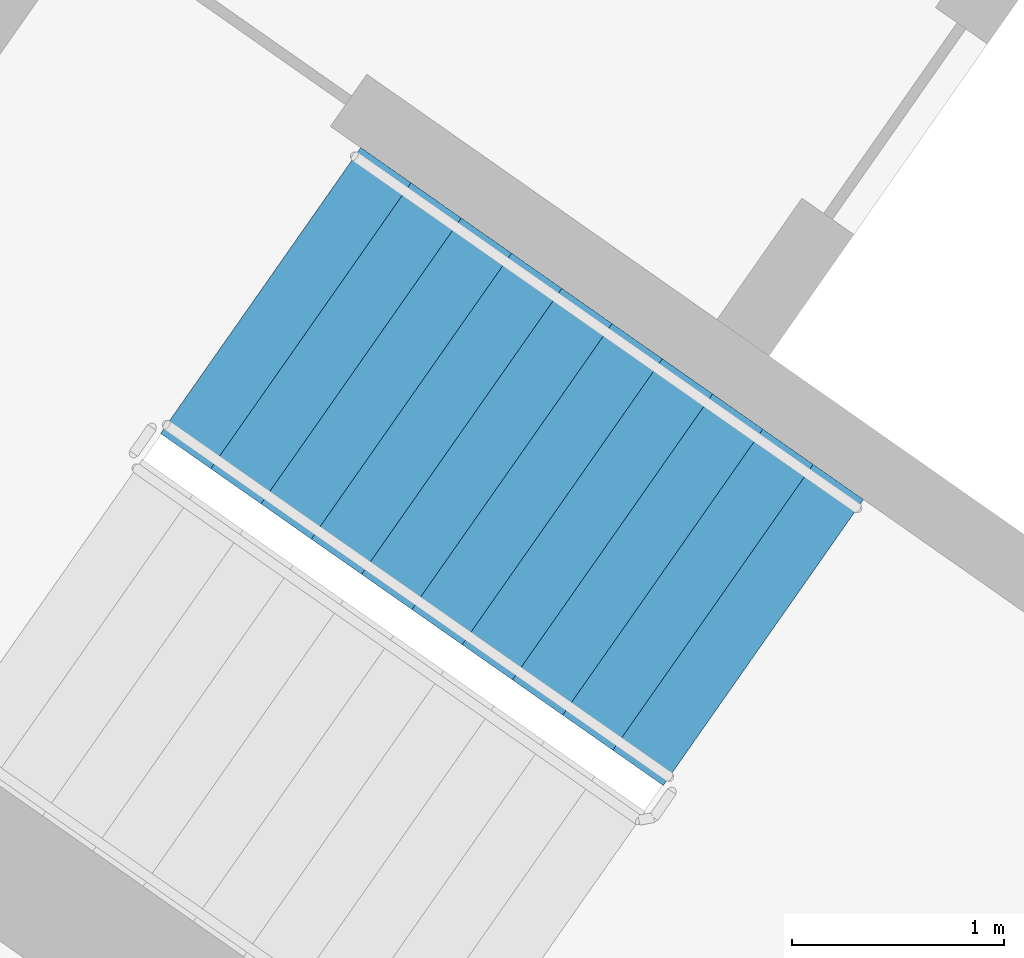
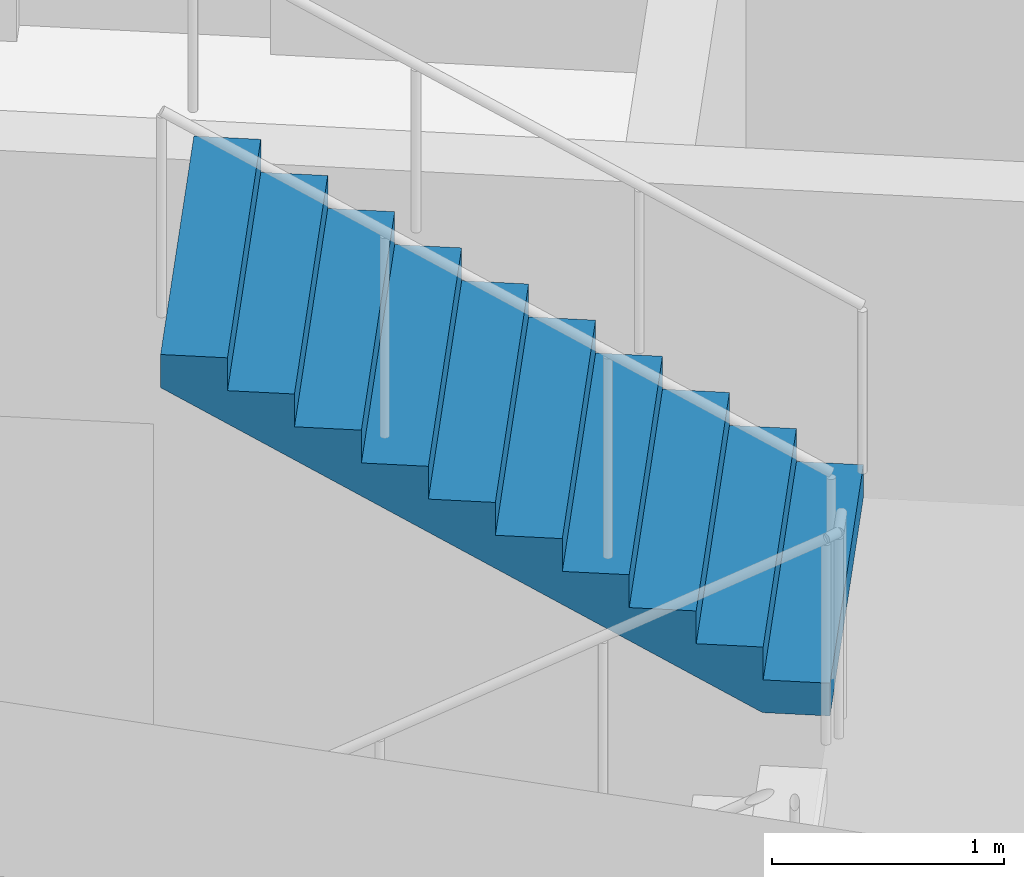
# One storey, part 9 of 31: 1 stair flight, 1 element without a shape of its own.
"""IFC4 building model written with IfcOpenShell, lengths in metres."""

from ifc_helpers import new_model, si_unit, direction, frame, origin, place, context, subcontext, project, spatial, faceted_brep, material, type_object, element, aggregate, save


model = new_model("IFC4")

# Units and contexts
model_context = context("Model", 3, precision=1e-05, world=origin(), true_north=direction((0.0, 1.0)))
body_context = subcontext(model_context, "Body", "Model", "MODEL_VIEW")
ifc_project = project(units=[si_unit("LENGTHUNIT", "METRE"), si_unit("AREAUNIT", "SQUARE_METRE"), si_unit("VOLUMEUNIT", "CUBIC_METRE"), si_unit("PLANEANGLEUNIT", "RADIAN"), si_unit("MASSUNIT", "GRAM", prefix="KILO")], contexts=[model_context])

# Site, building, storey
site_placement = place(None, origin())
site = spatial("IfcSite", under=ifc_project, at=site_placement, CompositionType="ELEMENT")
building_placement = place(site_placement, origin())
building = spatial("IfcBuilding", under=site, at=building_placement, Name="Qamariyya Broadcast Tower", CompositionType="ELEMENT")
storey_placement = place(building_placement, frame((0.0, 0.0, 149.300048828125)))
storey = spatial("IfcBuildingStorey", under=building, at=storey_placement, Name="L34", CompositionType="ELEMENT", Elevation=149.300048828125)

# Stair, stair flight
ifc_material = material(Name="Concrete C50/60", Category="concrete")
stair_type = type_object("IfcStairType", Name="Exit stair 22 risers of 173 mm", PredefinedType="HALF_TURN_STAIR", material=ifc_material)
stair_placement = place(storey_placement, origin())
stair = element("IfcStair", 1, at=stair_placement, inside=storey, type_object=stair_type, Name="L34 Stair W1", PredefinedType="HALF_TURN_STAIR")
stair_flight_type = type_object("IfcStairFlightType", Name="Exit stair flight 11 risers of 173 mm", PredefinedType="STRAIGHT", material=ifc_material)
stair_flight_placement = place(storey_placement, frame((-43.660888671875, -57.17138671875, 1.89990234375), z_axis=(0.0, 0.0, 1.0), x_axis=(-0.819152044289, 0.573576436351, 0.0)))
stair_flight = element("IfcStairFlight", 2, at=stair_flight_placement, type_object=stair_flight_type, Name="ST-W1 flight 2", NumberOfRisers=11, NumberOfTreads=10, PredefinedType="STRAIGHT", RiserHeight=0.172727273, TreadLength=0.29, context=body_context, shape_type="Brep", body=[
    faceted_brep([(0.0, 0.824951171875, 0.0), (0.0, 0.824951171875, 0.172607421875), (0.2900390625, 0.824951171875, 0.172607421875), (0.2900390625, 0.824951171875, 0.345458984375), (0.580078125, 0.824951171875, 0.345458984375), (0.580078125, 0.824951171875, 0.51806640625), (0.8701171875, 0.824951171875, 0.51806640625), (0.8701171875, 0.824951171875, 0.69091796875), (1.159912109375, 0.824951171875, 0.69091796875), (1.159912109375, 0.824951171875, 0.863525390625), (1.449951171875, 0.824951171875, 0.863525390625), (1.449951171875, 0.824951171875, 1.036376953125), (1.739990234375, 0.824951171875, 1.036376953125), (1.739990234375, 0.824951171875, 1.208984375), (2.030029296875, 0.824951171875, 1.208984375), (2.030029296875, 0.824951171875, 1.3818359375), (2.320068359375, 0.824951171875, 1.3818359375), (2.320068359375, 0.824951171875, 1.554443359375), (2.610107421875, 0.824951171875, 1.554443359375), (2.610107421875, 0.824951171875, 1.727294921875), (2.89990234375, 0.824951171875, 1.727294921875), (2.89990234375, 0.824951171875, 1.552734375), (0.29296875, 0.824951171875, 0.0), (0.29296875, -0.824951171875, 0.0), (2.89990234375, -0.824951171875, 1.552734375), (2.89990234375, -0.824951171875, 1.727294921875), (2.610107421875, -0.824951171875, 1.727294921875), (2.610107421875, -0.824951171875, 1.554443359375), (2.320068359375, -0.824951171875, 1.554443359375), (2.320068359375, -0.824951171875, 1.3818359375), (2.030029296875, -0.824951171875, 1.3818359375), (2.030029296875, -0.824951171875, 1.208984375), (1.739990234375, -0.824951171875, 1.208984375), (1.739990234375, -0.824951171875, 1.036376953125), (1.449951171875, -0.824951171875, 1.036376953125), (1.449951171875, -0.824951171875, 0.863525390625), (1.159912109375, -0.824951171875, 0.863525390625), (1.159912109375, -0.824951171875, 0.69091796875), (0.8701171875, -0.824951171875, 0.69091796875), (0.8701171875, -0.824951171875, 0.51806640625), (0.580078125, -0.824951171875, 0.51806640625), (0.580078125, -0.824951171875, 0.345458984375), (0.2900390625, -0.824951171875, 0.345458984375), (0.2900390625, -0.824951171875, 0.172607421875), (0.0, -0.824951171875, 0.172607421875), (0.0, -0.824951171875, 0.0), (0.0, 0.10009765625, 0.0), (0.0, 0.086669921875, 0.0), (0.0, 0.0732421875, 0.0), (0.0, 0.06005859375, 0.0), (0.0, 0.046630859375, 0.0), (0.0, 0.033447265625, 0.0), (0.0, 0.02001953125, 0.0), (0.0, 0.006591796875, 0.0), (0.0, -0.006591796875, 0.0), (0.0, -0.02001953125, 0.0), (0.0, -0.033447265625, 0.0), (0.0, -0.046630859375, 0.0), (0.0, -0.06005859375, 0.0), (0.0, -0.0732421875, 0.0), (0.0, -0.086669921875, 0.0), (0.0, -0.10009765625, 0.0), (0.0, -0.10009765625, 0.172607421875), (0.0, -0.086669921875, 0.172607421875), (0.0, -0.0732421875, 0.172607421875), (0.0, -0.06005859375, 0.172607421875), (0.0, -0.046630859375, 0.172607421875), (0.0, -0.033447265625, 0.172607421875), (0.0, -0.02001953125, 0.172607421875), (0.0, -0.006591796875, 0.172607421875), (0.0, 0.006591796875, 0.172607421875), (0.0, 0.02001953125, 0.172607421875), (0.0, 0.033447265625, 0.172607421875), (0.0, 0.046630859375, 0.172607421875), (0.0, 0.06005859375, 0.172607421875), (0.0, 0.0732421875, 0.172607421875), (0.0, 0.086669921875, 0.172607421875), (0.0, 0.10009765625, 0.172607421875), (0.2900390625, -0.10009765625, 0.172607421875), (0.2900390625, -0.086669921875, 0.172607421875), (0.2900390625, -0.0732421875, 0.172607421875), (0.2900390625, -0.06005859375, 0.172607421875), (0.2900390625, -0.046630859375, 0.172607421875), (0.2900390625, -0.033447265625, 0.172607421875), (0.2900390625, -0.02001953125, 0.172607421875), (0.2900390625, -0.006591796875, 0.172607421875), (0.2900390625, 0.006591796875, 0.172607421875), (0.2900390625, 0.02001953125, 0.172607421875), (0.2900390625, 0.033447265625, 0.172607421875), (0.2900390625, 0.046630859375, 0.172607421875), (0.2900390625, 0.06005859375, 0.172607421875), (0.2900390625, 0.0732421875, 0.172607421875), (0.2900390625, 0.086669921875, 0.172607421875), (0.2900390625, 0.10009765625, 0.172607421875), (0.2900390625, -0.10009765625, 0.345458984375), (0.2900390625, -0.086669921875, 0.345458984375), (0.2900390625, -0.0732421875, 0.345458984375), (0.2900390625, -0.06005859375, 0.345458984375), (0.2900390625, -0.046630859375, 0.345458984375), (0.2900390625, -0.033447265625, 0.345458984375), (0.2900390625, -0.02001953125, 0.345458984375), (0.2900390625, -0.006591796875, 0.345458984375), (0.2900390625, 0.006591796875, 0.345458984375), (0.2900390625, 0.02001953125, 0.345458984375), (0.2900390625, 0.033447265625, 0.345458984375), (0.2900390625, 0.046630859375, 0.345458984375), (0.2900390625, 0.06005859375, 0.345458984375), (0.2900390625, 0.0732421875, 0.345458984375), (0.2900390625, 0.086669921875, 0.345458984375), (0.2900390625, 0.10009765625, 0.345458984375), (0.580078125, -0.10009765625, 0.345458984375), (0.580078125, -0.086669921875, 0.345458984375), (0.580078125, -0.0732421875, 0.345458984375), (0.580078125, -0.06005859375, 0.345458984375), (0.580078125, -0.046630859375, 0.345458984375), (0.580078125, -0.033447265625, 0.345458984375), (0.580078125, -0.02001953125, 0.345458984375), (0.580078125, -0.006591796875, 0.345458984375), (0.580078125, 0.006591796875, 0.345458984375), (0.580078125, 0.02001953125, 0.345458984375), (0.580078125, 0.033447265625, 0.345458984375), (0.580078125, 0.046630859375, 0.345458984375), (0.580078125, 0.06005859375, 0.345458984375), (0.580078125, 0.0732421875, 0.345458984375), (0.580078125, 0.086669921875, 0.345458984375), (0.580078125, 0.10009765625, 0.345458984375), (0.580078125, -0.10009765625, 0.51806640625), (0.580078125, -0.086669921875, 0.51806640625), (0.580078125, -0.0732421875, 0.51806640625), (0.580078125, -0.06005859375, 0.51806640625), (0.580078125, -0.046630859375, 0.51806640625), (0.580078125, -0.033447265625, 0.51806640625), (0.580078125, -0.02001953125, 0.51806640625), (0.580078125, -0.006591796875, 0.51806640625), (0.580078125, 0.006591796875, 0.51806640625), (0.580078125, 0.02001953125, 0.51806640625), (0.580078125, 0.033447265625, 0.51806640625), (0.580078125, 0.046630859375, 0.51806640625), (0.580078125, 0.06005859375, 0.51806640625), (0.580078125, 0.0732421875, 0.51806640625), (0.580078125, 0.086669921875, 0.51806640625), (0.580078125, 0.10009765625, 0.51806640625), (0.8701171875, -0.10009765625, 0.51806640625), (0.8701171875, -0.086669921875, 0.51806640625), (0.8701171875, -0.0732421875, 0.51806640625), (0.8701171875, -0.06005859375, 0.51806640625), (0.8701171875, -0.046630859375, 0.51806640625), (0.8701171875, -0.033447265625, 0.51806640625), (0.8701171875, -0.02001953125, 0.51806640625), (0.8701171875, -0.006591796875, 0.51806640625), (0.8701171875, 0.006591796875, 0.51806640625), (0.8701171875, 0.02001953125, 0.51806640625), (0.8701171875, 0.033447265625, 0.51806640625), (0.8701171875, 0.046630859375, 0.51806640625), (0.8701171875, 0.06005859375, 0.51806640625), (0.8701171875, 0.0732421875, 0.51806640625), (0.8701171875, 0.086669921875, 0.51806640625), (0.8701171875, 0.10009765625, 0.51806640625), (0.8701171875, -0.10009765625, 0.69091796875), (0.8701171875, -0.086669921875, 0.69091796875), (0.8701171875, -0.0732421875, 0.69091796875), (0.8701171875, -0.06005859375, 0.69091796875), (0.8701171875, -0.046630859375, 0.69091796875), (0.8701171875, -0.033447265625, 0.69091796875), (0.8701171875, -0.02001953125, 0.69091796875), (0.8701171875, -0.006591796875, 0.69091796875), (0.8701171875, 0.006591796875, 0.69091796875), (0.8701171875, 0.02001953125, 0.69091796875), (0.8701171875, 0.033447265625, 0.69091796875), (0.8701171875, 0.046630859375, 0.69091796875), (0.8701171875, 0.06005859375, 0.69091796875), (0.8701171875, 0.0732421875, 0.69091796875), (0.8701171875, 0.086669921875, 0.69091796875), (0.8701171875, 0.10009765625, 0.69091796875), (1.159912109375, -0.10009765625, 0.69091796875), (1.159912109375, -0.086669921875, 0.69091796875), (1.159912109375, -0.0732421875, 0.69091796875), (1.159912109375, -0.06005859375, 0.69091796875), (1.159912109375, -0.046630859375, 0.69091796875), (1.159912109375, -0.033447265625, 0.69091796875), (1.159912109375, -0.02001953125, 0.69091796875), (1.159912109375, -0.006591796875, 0.69091796875), (1.159912109375, 0.006591796875, 0.69091796875), (1.159912109375, 0.02001953125, 0.69091796875), (1.159912109375, 0.033447265625, 0.69091796875), (1.159912109375, 0.046630859375, 0.69091796875), (1.159912109375, 0.06005859375, 0.69091796875), (1.159912109375, 0.0732421875, 0.69091796875), (1.159912109375, 0.086669921875, 0.69091796875), (1.159912109375, 0.10009765625, 0.69091796875), (1.159912109375, -0.10009765625, 0.863525390625), (1.159912109375, -0.086669921875, 0.863525390625), (1.159912109375, -0.0732421875, 0.863525390625), (1.159912109375, -0.06005859375, 0.863525390625), (1.159912109375, -0.046630859375, 0.863525390625), (1.159912109375, -0.033447265625, 0.863525390625), (1.159912109375, -0.02001953125, 0.863525390625), (1.159912109375, -0.006591796875, 0.863525390625), (1.159912109375, 0.006591796875, 0.863525390625), (1.159912109375, 0.02001953125, 0.863525390625), (1.159912109375, 0.033447265625, 0.863525390625), (1.159912109375, 0.046630859375, 0.863525390625), (1.159912109375, 0.06005859375, 0.863525390625), (1.159912109375, 0.0732421875, 0.863525390625), (1.159912109375, 0.086669921875, 0.863525390625), (1.159912109375, 0.10009765625, 0.863525390625), (1.449951171875, -0.10009765625, 0.863525390625), (1.449951171875, -0.086669921875, 0.863525390625), (1.449951171875, -0.0732421875, 0.863525390625), (1.449951171875, -0.06005859375, 0.863525390625), (1.449951171875, -0.046630859375, 0.863525390625), (1.449951171875, -0.033447265625, 0.863525390625), (1.449951171875, -0.02001953125, 0.863525390625), (1.449951171875, -0.006591796875, 0.863525390625), (1.449951171875, 0.006591796875, 0.863525390625), (1.449951171875, 0.02001953125, 0.863525390625), (1.449951171875, 0.033447265625, 0.863525390625), (1.449951171875, 0.046630859375, 0.863525390625), (1.449951171875, 0.06005859375, 0.863525390625), (1.449951171875, 0.0732421875, 0.863525390625), (1.449951171875, 0.086669921875, 0.863525390625), (1.449951171875, 0.10009765625, 0.863525390625), (1.449951171875, -0.10009765625, 1.036376953125), (1.449951171875, -0.086669921875, 1.036376953125), (1.449951171875, -0.0732421875, 1.036376953125), (1.449951171875, -0.06005859375, 1.036376953125), (1.449951171875, -0.046630859375, 1.036376953125), (1.449951171875, -0.033447265625, 1.036376953125), (1.449951171875, -0.02001953125, 1.036376953125), (1.449951171875, -0.006591796875, 1.036376953125), (1.449951171875, 0.006591796875, 1.036376953125), (1.449951171875, 0.02001953125, 1.036376953125), (1.449951171875, 0.033447265625, 1.036376953125), (1.449951171875, 0.046630859375, 1.036376953125), (1.449951171875, 0.06005859375, 1.036376953125), (1.449951171875, 0.0732421875, 1.036376953125), (1.449951171875, 0.086669921875, 1.036376953125), (1.449951171875, 0.10009765625, 1.036376953125), (1.739990234375, -0.10009765625, 1.036376953125), (1.739990234375, -0.086669921875, 1.036376953125), (1.739990234375, -0.0732421875, 1.036376953125), (1.739990234375, -0.06005859375, 1.036376953125), (1.739990234375, -0.046630859375, 1.036376953125), (1.739990234375, -0.033447265625, 1.036376953125), (1.739990234375, -0.02001953125, 1.036376953125), (1.739990234375, -0.006591796875, 1.036376953125), (1.739990234375, 0.006591796875, 1.036376953125), (1.739990234375, 0.02001953125, 1.036376953125), (1.739990234375, 0.033447265625, 1.036376953125), (1.739990234375, 0.046630859375, 1.036376953125), (1.739990234375, 0.06005859375, 1.036376953125), (1.739990234375, 0.0732421875, 1.036376953125), (1.739990234375, 0.086669921875, 1.036376953125), (1.739990234375, 0.10009765625, 1.036376953125), (1.739990234375, -0.10009765625, 1.208984375), (1.739990234375, -0.086669921875, 1.208984375), (1.739990234375, -0.0732421875, 1.208984375), (1.739990234375, -0.06005859375, 1.208984375), (1.739990234375, -0.046630859375, 1.208984375), (1.739990234375, -0.033447265625, 1.208984375), (1.739990234375, -0.02001953125, 1.208984375), (1.739990234375, -0.006591796875, 1.208984375), (1.739990234375, 0.006591796875, 1.208984375), (1.739990234375, 0.02001953125, 1.208984375), (1.739990234375, 0.033447265625, 1.208984375), (1.739990234375, 0.046630859375, 1.208984375), (1.739990234375, 0.06005859375, 1.208984375), (1.739990234375, 0.0732421875, 1.208984375), (1.739990234375, 0.086669921875, 1.208984375), (1.739990234375, 0.10009765625, 1.208984375), (2.030029296875, -0.10009765625, 1.208984375), (2.030029296875, -0.086669921875, 1.208984375), (2.030029296875, -0.0732421875, 1.208984375), (2.030029296875, -0.06005859375, 1.208984375), (2.030029296875, -0.046630859375, 1.208984375), (2.030029296875, -0.033447265625, 1.208984375), (2.030029296875, -0.02001953125, 1.208984375), (2.030029296875, -0.006591796875, 1.208984375), (2.030029296875, 0.006591796875, 1.208984375), (2.030029296875, 0.02001953125, 1.208984375), (2.030029296875, 0.033447265625, 1.208984375), (2.030029296875, 0.046630859375, 1.208984375), (2.030029296875, 0.06005859375, 1.208984375), (2.030029296875, 0.0732421875, 1.208984375), (2.030029296875, 0.086669921875, 1.208984375), (2.030029296875, 0.10009765625, 1.208984375), (2.030029296875, -0.10009765625, 1.3818359375), (2.030029296875, -0.086669921875, 1.3818359375), (2.030029296875, -0.0732421875, 1.3818359375), (2.030029296875, -0.06005859375, 1.3818359375), (2.030029296875, -0.046630859375, 1.3818359375), (2.030029296875, -0.033447265625, 1.3818359375), (2.030029296875, -0.02001953125, 1.3818359375), (2.030029296875, -0.006591796875, 1.3818359375), (2.030029296875, 0.006591796875, 1.3818359375), (2.030029296875, 0.02001953125, 1.3818359375), (2.030029296875, 0.033447265625, 1.3818359375), (2.030029296875, 0.046630859375, 1.3818359375), (2.030029296875, 0.06005859375, 1.3818359375), (2.030029296875, 0.0732421875, 1.3818359375), (2.030029296875, 0.086669921875, 1.3818359375), (2.030029296875, 0.10009765625, 1.3818359375), (2.320068359375, -0.10009765625, 1.3818359375), (2.320068359375, -0.086669921875, 1.3818359375), (2.320068359375, -0.0732421875, 1.3818359375), (2.320068359375, -0.06005859375, 1.3818359375), (2.320068359375, -0.046630859375, 1.3818359375), (2.320068359375, -0.033447265625, 1.3818359375), (2.320068359375, -0.02001953125, 1.3818359375), (2.320068359375, -0.006591796875, 1.3818359375), (2.320068359375, 0.006591796875, 1.3818359375), (2.320068359375, 0.02001953125, 1.3818359375), (2.320068359375, 0.033447265625, 1.3818359375), (2.320068359375, 0.046630859375, 1.3818359375), (2.320068359375, 0.06005859375, 1.3818359375), (2.320068359375, 0.0732421875, 1.3818359375), (2.320068359375, 0.086669921875, 1.3818359375), (2.320068359375, 0.10009765625, 1.3818359375), (2.320068359375, -0.10009765625, 1.554443359375), (2.320068359375, -0.086669921875, 1.554443359375), (2.320068359375, -0.0732421875, 1.554443359375), (2.320068359375, -0.06005859375, 1.554443359375), (2.320068359375, -0.046630859375, 1.554443359375), (2.320068359375, -0.033447265625, 1.554443359375), (2.320068359375, -0.02001953125, 1.554443359375), (2.320068359375, -0.006591796875, 1.554443359375), (2.320068359375, 0.006591796875, 1.554443359375), (2.320068359375, 0.02001953125, 1.554443359375), (2.320068359375, 0.033447265625, 1.554443359375), (2.320068359375, 0.046630859375, 1.554443359375), (2.320068359375, 0.06005859375, 1.554443359375), (2.320068359375, 0.0732421875, 1.554443359375), (2.320068359375, 0.086669921875, 1.554443359375), (2.320068359375, 0.10009765625, 1.554443359375), (2.610107421875, -0.10009765625, 1.554443359375), (2.610107421875, -0.086669921875, 1.554443359375), (2.610107421875, -0.0732421875, 1.554443359375), (2.610107421875, -0.06005859375, 1.554443359375), (2.610107421875, -0.046630859375, 1.554443359375), (2.610107421875, -0.033447265625, 1.554443359375), (2.610107421875, -0.02001953125, 1.554443359375), (2.610107421875, -0.006591796875, 1.554443359375), (2.610107421875, 0.006591796875, 1.554443359375), (2.610107421875, 0.02001953125, 1.554443359375), (2.610107421875, 0.033447265625, 1.554443359375), (2.610107421875, 0.046630859375, 1.554443359375), (2.610107421875, 0.06005859375, 1.554443359375), (2.610107421875, 0.0732421875, 1.554443359375), (2.610107421875, 0.086669921875, 1.554443359375), (2.610107421875, 0.10009765625, 1.554443359375), (2.610107421875, -0.10009765625, 1.727294921875), (2.610107421875, -0.086669921875, 1.727294921875), (2.610107421875, -0.0732421875, 1.727294921875), (2.610107421875, -0.06005859375, 1.727294921875), (2.610107421875, -0.046630859375, 1.727294921875), (2.610107421875, -0.033447265625, 1.727294921875), (2.610107421875, -0.02001953125, 1.727294921875), (2.610107421875, -0.006591796875, 1.727294921875), (2.610107421875, 0.006591796875, 1.727294921875), (2.610107421875, 0.02001953125, 1.727294921875), (2.610107421875, 0.033447265625, 1.727294921875), (2.610107421875, 0.046630859375, 1.727294921875), (2.610107421875, 0.06005859375, 1.727294921875), (2.610107421875, 0.0732421875, 1.727294921875), (2.610107421875, 0.086669921875, 1.727294921875), (2.610107421875, 0.10009765625, 1.727294921875), (2.89990234375, -0.10009765625, 1.727294921875), (2.89990234375, -0.086669921875, 1.727294921875), (2.89990234375, -0.0732421875, 1.727294921875), (2.89990234375, -0.06005859375, 1.727294921875), (2.89990234375, -0.046630859375, 1.727294921875), (2.89990234375, -0.033447265625, 1.727294921875), (2.89990234375, -0.02001953125, 1.727294921875), (2.89990234375, -0.006591796875, 1.727294921875), (2.89990234375, 0.006591796875, 1.727294921875), (2.89990234375, 0.02001953125, 1.727294921875), (2.89990234375, 0.033447265625, 1.727294921875), (2.89990234375, 0.046630859375, 1.727294921875), (2.89990234375, 0.06005859375, 1.727294921875), (2.89990234375, 0.0732421875, 1.727294921875), (2.89990234375, 0.086669921875, 1.727294921875), (2.89990234375, 0.10009765625, 1.727294921875), (2.89990234375, -0.10009765625, 1.552734375), (2.89990234375, -0.086669921875, 1.552734375), (2.89990234375, -0.0732421875, 1.552734375), (2.89990234375, -0.06005859375, 1.552734375), (2.89990234375, -0.046630859375, 1.552734375), (2.89990234375, -0.033447265625, 1.552734375), (2.89990234375, -0.02001953125, 1.552734375), (2.89990234375, -0.006591796875, 1.552734375), (2.89990234375, 0.006591796875, 1.552734375), (2.89990234375, 0.02001953125, 1.552734375), (2.89990234375, 0.033447265625, 1.552734375), (2.89990234375, 0.046630859375, 1.552734375), (2.89990234375, 0.06005859375, 1.552734375), (2.89990234375, 0.0732421875, 1.552734375), (2.89990234375, 0.086669921875, 1.552734375), (2.89990234375, 0.10009765625, 1.552734375), (0.29296875, -0.10009765625, 0.0), (0.29296875, -0.086669921875, 0.0), (0.29296875, -0.0732421875, 0.0), (0.29296875, -0.06005859375, 0.0), (0.29296875, -0.046630859375, 0.0), (0.29296875, -0.033447265625, 0.0), (0.29296875, -0.02001953125, 0.0), (0.29296875, -0.006591796875, 0.0), (0.29296875, 0.006591796875, 0.0), (0.29296875, 0.02001953125, 0.0), (0.29296875, 0.033447265625, 0.0), (0.29296875, 0.046630859375, 0.0), (0.29296875, 0.06005859375, 0.0), (0.29296875, 0.0732421875, 0.0), (0.29296875, 0.086669921875, 0.0), (0.29296875, 0.10009765625, 0.0)], [[[0, 1, 2, 3, 4, 5, 6, 7, 8, 9, 10, 11, 12, 13, 14, 15, 16, 17, 18, 19, 20, 21, 22]], [[23, 24, 25, 26, 27, 28, 29, 30, 31, 32, 33, 34, 35, 36, 37, 38, 39, 40, 41, 42, 43, 44, 45]], [[0, 46, 47, 48, 49, 50, 51, 52, 53, 54, 55, 56, 57, 58, 59, 60, 61, 45, 44, 62, 63, 64, 65, 66, 67, 68, 69, 70, 71, 72, 73, 74, 75, 76, 77, 1]], [[1, 77, 76, 75, 74, 73, 72, 71, 70, 69, 68, 67, 66, 65, 64, 63, 62, 44, 43, 78, 79, 80, 81, 82, 83, 84, 85, 86, 87, 88, 89, 90, 91, 92, 93, 2]], [[2, 93, 92, 91, 90, 89, 88, 87, 86, 85, 84, 83, 82, 81, 80, 79, 78, 43, 42, 94, 95, 96, 97, 98, 99, 100, 101, 102, 103, 104, 105, 106, 107, 108, 109, 3]], [[3, 109, 108, 107, 106, 105, 104, 103, 102, 101, 100, 99, 98, 97, 96, 95, 94, 42, 41, 110, 111, 112, 113, 114, 115, 116, 117, 118, 119, 120, 121, 122, 123, 124, 125, 4]], [[4, 125, 124, 123, 122, 121, 120, 119, 118, 117, 116, 115, 114, 113, 112, 111, 110, 41, 40, 126, 127, 128, 129, 130, 131, 132, 133, 134, 135, 136, 137, 138, 139, 140, 141, 5]], [[5, 141, 140, 139, 138, 137, 136, 135, 134, 133, 132, 131, 130, 129, 128, 127, 126, 40, 39, 142, 143, 144, 145, 146, 147, 148, 149, 150, 151, 152, 153, 154, 155, 156, 157, 6]], [[6, 157, 156, 155, 154, 153, 152, 151, 150, 149, 148, 147, 146, 145, 144, 143, 142, 39, 38, 158, 159, 160, 161, 162, 163, 164, 165, 166, 167, 168, 169, 170, 171, 172, 173, 7]], [[7, 173, 172, 171, 170, 169, 168, 167, 166, 165, 164, 163, 162, 161, 160, 159, 158, 38, 37, 174, 175, 176, 177, 178, 179, 180, 181, 182, 183, 184, 185, 186, 187, 188, 189, 8]], [[8, 189, 188, 187, 186, 185, 184, 183, 182, 181, 180, 179, 178, 177, 176, 175, 174, 37, 36, 190, 191, 192, 193, 194, 195, 196, 197, 198, 199, 200, 201, 202, 203, 204, 205, 9]], [[9, 205, 204, 203, 202, 201, 200, 199, 198, 197, 196, 195, 194, 193, 192, 191, 190, 36, 35, 206, 207, 208, 209, 210, 211, 212, 213, 214, 215, 216, 217, 218, 219, 220, 221, 10]], [[10, 221, 220, 219, 218, 217, 216, 215, 214, 213, 212, 211, 210, 209, 208, 207, 206, 35, 34, 222, 223, 224, 225, 226, 227, 228, 229, 230, 231, 232, 233, 234, 235, 236, 237, 11]], [[11, 237, 236, 235, 234, 233, 232, 231, 230, 229, 228, 227, 226, 225, 224, 223, 222, 34, 33, 238, 239, 240, 241, 242, 243, 244, 245, 246, 247, 248, 249, 250, 251, 252, 253, 12]], [[12, 253, 252, 251, 250, 249, 248, 247, 246, 245, 244, 243, 242, 241, 240, 239, 238, 33, 32, 254, 255, 256, 257, 258, 259, 260, 261, 262, 263, 264, 265, 266, 267, 268, 269, 13]], [[13, 269, 268, 267, 266, 265, 264, 263, 262, 261, 260, 259, 258, 257, 256, 255, 254, 32, 31, 270, 271, 272, 273, 274, 275, 276, 277, 278, 279, 280, 281, 282, 283, 284, 285, 14]], [[14, 285, 284, 283, 282, 281, 280, 279, 278, 277, 276, 275, 274, 273, 272, 271, 270, 31, 30, 286, 287, 288, 289, 290, 291, 292, 293, 294, 295, 296, 297, 298, 299, 300, 301, 15]], [[15, 301, 300, 299, 298, 297, 296, 295, 294, 293, 292, 291, 290, 289, 288, 287, 286, 30, 29, 302, 303, 304, 305, 306, 307, 308, 309, 310, 311, 312, 313, 314, 315, 316, 317, 16]], [[16, 317, 316, 315, 314, 313, 312, 311, 310, 309, 308, 307, 306, 305, 304, 303, 302, 29, 28, 318, 319, 320, 321, 322, 323, 324, 325, 326, 327, 328, 329, 330, 331, 332, 333, 17]], [[17, 333, 332, 331, 330, 329, 328, 327, 326, 325, 324, 323, 322, 321, 320, 319, 318, 28, 27, 334, 335, 336, 337, 338, 339, 340, 341, 342, 343, 344, 345, 346, 347, 348, 349, 18]], [[18, 349, 348, 347, 346, 345, 344, 343, 342, 341, 340, 339, 338, 337, 336, 335, 334, 27, 26, 350, 351, 352, 353, 354, 355, 356, 357, 358, 359, 360, 361, 362, 363, 364, 365, 19]], [[19, 365, 364, 363, 362, 361, 360, 359, 358, 357, 356, 355, 354, 353, 352, 351, 350, 26, 25, 366, 367, 368, 369, 370, 371, 372, 373, 374, 375, 376, 377, 378, 379, 380, 381, 20]], [[20, 381, 380, 379, 378, 377, 376, 375, 374, 373, 372, 371, 370, 369, 368, 367, 366, 25, 24, 382, 383, 384, 385, 386, 387, 388, 389, 390, 391, 392, 393, 394, 395, 396, 397, 21]], [[21, 397, 396, 395, 394, 393, 392, 391, 390, 389, 388, 387, 386, 385, 384, 383, 382, 24, 23, 398, 399, 400, 401, 402, 403, 404, 405, 406, 407, 408, 409, 410, 411, 412, 413, 22]], [[22, 413, 412, 411, 410, 409, 408, 407, 406, 405, 404, 403, 402, 401, 400, 399, 398, 23, 45, 61, 60, 59, 58, 57, 56, 55, 54, 53, 52, 51, 50, 49, 48, 47, 46, 0]]]),
])
aggregate(stair, [stair_flight])

save(model, "model.ifc")
